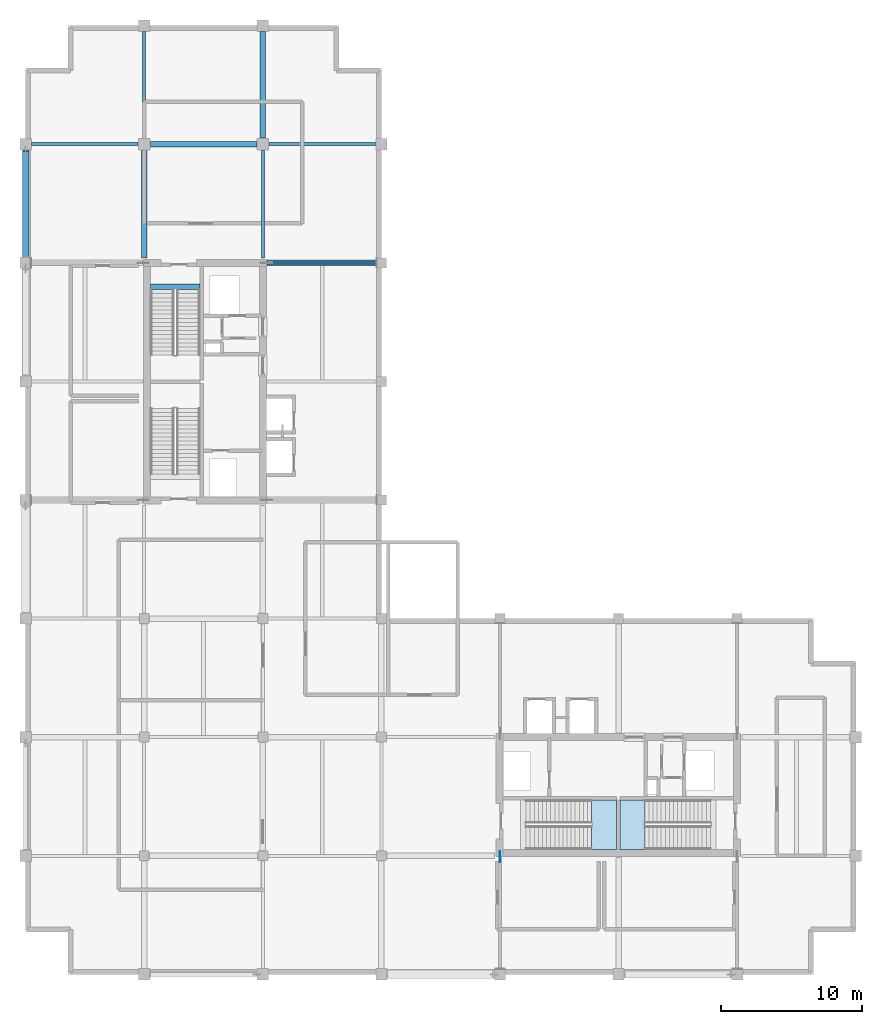
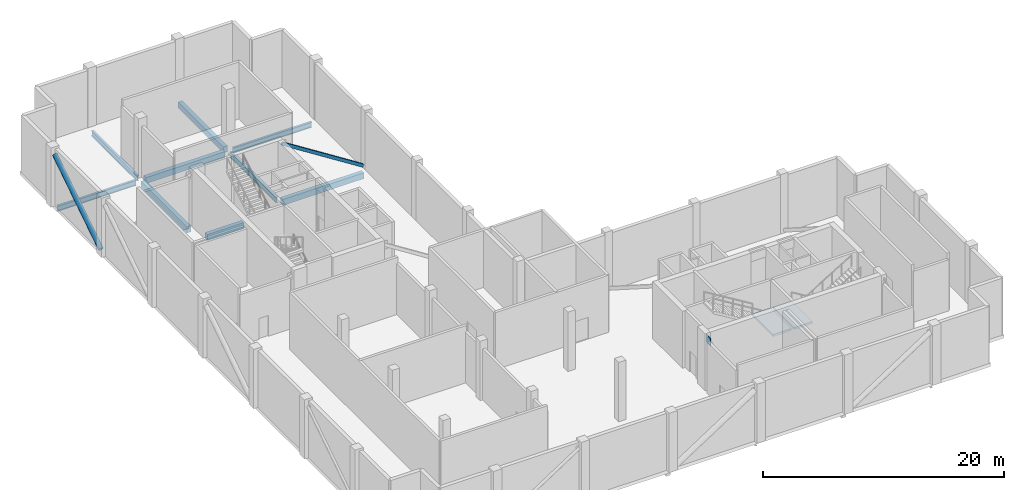
# One storey, part 2 of 14: 9 beams, 2 members, 2 slabs, 1 plate, 2 elements without a shape of their own.
"""IFC4 building model written with IfcOpenShell, lengths in metres."""

from ifc_helpers import new_model, si_unit, direction, frame, origin, origin_2d, place, context, subcontext, project, spatial, polyline, rectangle, hollow_rectangle, hollow_circle, i_section, outline, extrude, material, layer, layer_set, material_profile, profile_set, type_object, element, aggregate, save


model = new_model("IFC4")

# Units and contexts
model_context = context("Model", 3, precision=1e-05, world=origin(), true_north=direction((0.0, 1.0)))
body_context = subcontext(model_context, "Body", "Model", "MODEL_VIEW")
ifc_project = project(units=[si_unit("LENGTHUNIT", "METRE"), si_unit("AREAUNIT", "SQUARE_METRE"), si_unit("VOLUMEUNIT", "CUBIC_METRE"), si_unit("PLANEANGLEUNIT", "RADIAN"), si_unit("MASSUNIT", "GRAM", prefix="KILO")], contexts=[model_context])

# Site, building, storey
site_placement = place(None, origin())
site = spatial("IfcSite", under=ifc_project, at=site_placement, CompositionType="ELEMENT")
building_placement = place(site_placement, origin())
building = spatial("IfcBuilding", under=site, at=building_placement, Name="Koriwani Terraces Tower", CompositionType="ELEMENT")
storey_placement = place(building_placement, frame((0.0, 0.0, 294.800048828125)))
storey = spatial("IfcBuildingStorey", under=building, at=storey_placement, Name="L73", CompositionType="ELEMENT", Elevation=294.800048828125)

# Beams
ifc_material_1 = material(Name="Concrete C40/50", Category="concrete")
ifc_material_profile_1 = material_profile(ifc_material_1, rectangle(XDim=0.39990234375, YDim=0.60009765625, at=origin_2d()), Name="Concrete C40/50", Category="LoadBearing")
ifc_profile_set_1 = profile_set([ifc_material_profile_1], Name="Concrete C40/50")
beam_type_1 = type_object("IfcBeamType", Name="BEAM_RC_GRID_400X600", PredefinedType="BEAM", material=ifc_profile_set_1)
beam_1_placement = place(storey_placement, frame((17.25, 57.094970703125, -0.300048828125), z_axis=(1.0, 0.0, 0.0), x_axis=(0.0, 1.0, 0.0)))
element("IfcBeam", 1, at=beam_1_placement, inside=storey, type_object=beam_type_1, Name="L73 Stairwell Header Trimmer Beam ST-W2", PredefinedType="BEAM", context=body_context, shape_type="SweptSolid", body=[
    extrude(rectangle(XDim=0.39990234375, YDim=0.60009765625, at=origin_2d()), origin(), (0.0, 0.0, 1.0), 3.5),
])
beam_2_placement = place(storey_placement, frame((25.47998046875, 58.800048828125, -0.650146484375), z_axis=(1.0, 0.0, 0.0), x_axis=(0.0, 1.0, 0.0)))
element("IfcBeam", 2, at=beam_2_placement, inside=storey, type_object=beam_type_1, Name="L73 Grid Beam H (25.2-33.6m)", PredefinedType="BEAM", context=body_context, shape_type="SweptSolid", body=[
    extrude(rectangle(XDim=0.39990234375, YDim=0.60009765625, at=origin_2d()), origin(), (0.0, 0.0, 1.0), 7.739990234375),
])
beam_3_placement = place(storey_placement, frame((17.22998046875, 67.199951171875, -0.650146484375), z_axis=(1.0, 0.0, 0.0), x_axis=(0.0, 1.0, 0.0)))
element("IfcBeam", 3, at=beam_3_placement, inside=storey, type_object=beam_type_1, Name="L73 Grid Beam I (16.8-25.2m)", PredefinedType="BEAM", context=body_context, shape_type="SweptSolid", body=[
    extrude(rectangle(XDim=0.39990234375, YDim=0.60009765625, at=origin_2d()), origin(), (0.0, 0.0, 1.0), 7.5400390625),
])
beam_4_placement = place(storey_placement, frame((16.800048828125, 59.1298828125, -0.650146484375), z_axis=(0.0, 1.0, 0.0), x_axis=(-1.0, 0.0, 0.0)))
element("IfcBeam", 4, at=beam_4_placement, inside=storey, type_object=beam_type_1, Name="L73 Grid Beam 3 (58.8-67.2m)", PredefinedType="BEAM", context=body_context, shape_type="SweptSolid", body=[
    extrude(rectangle(XDim=0.39990234375, YDim=0.60009765625, at=origin_2d()), origin(), (0.0, 0.0, 1.0), 7.64013671875),
])
beam_5_placement = place(storey_placement, frame((25.199951171875, 67.6298828125, -0.650146484375), z_axis=(0.0, 1.0, 0.0), x_axis=(-1.0, 0.0, 0.0)))
element("IfcBeam", 5, at=beam_5_placement, inside=storey, type_object=beam_type_1, Name="L73 Grid Beam 4 (67.2-75.6m)", PredefinedType="BEAM", context=body_context, shape_type="SweptSolid", body=[
    extrude(rectangle(XDim=0.39990234375, YDim=0.60009765625, at=origin_2d()), origin(), (0.0, 0.0, 1.0), 7.5400390625),
])

# Members
ifc_material_2 = material(Name="Steel ASTM A572 Grade 50", Category="steel")
ifc_material_profile_2 = material_profile(ifc_material_2, hollow_circle(Radius=0.228515625, WallThickness=0.01611328125, at=origin_2d()), Name="Steel ASTM A572 Grade 50", Category="LoadBearing")
ifc_profile_set_2 = profile_set([ifc_material_profile_2], Name="Steel ASTM A572 Grade 50")
member_type_1 = type_object("IfcMemberType", Name="BELT_TRUSS_DIAG_CHS457X16", PredefinedType="STRUT", material=ifc_profile_set_2)
member_1_placement = place(storey_placement, frame((8.39990234375, 59.179931640625, 0.25), z_axis=(0.0, 0.838248950605, 0.54528771929), x_axis=(-1.0, 0.0, 0.0)))
element("IfcMember", 6, at=member_1_placement, inside=storey, type_object=member_type_1, Name="Belt truss diagonal L73-BW4", PredefinedType="STRUT", context=body_context, shape_type="SweptSolid", body=[
    extrude(hollow_circle(Radius=0.228515625, WallThickness=0.01611328125, at=origin_2d()), origin(), (0.0, 0.0, 1.0), 9.114501953125),
])
ifc_material_profile_3 = material_profile(ifc_material_2, hollow_rectangle(XDim=0.14990234375, YDim=0.300048828125, WallThickness=0.010009765625, at=origin_2d()), Name="Steel ASTM A572 Grade 50", Category="LoadBearing")
ifc_profile_set_3 = profile_set([ifc_material_profile_3], Name="Steel ASTM A572 Grade 50")
member_type_2 = type_object("IfcMemberType", Name="OUTRIGGER_BRACE_HSS300X150X10", PredefinedType="BRACE", material=ifc_profile_set_3)
member_2_placement = place(storey_placement, frame((33.27001953125, 58.800048828125, 0.25), z_axis=(-0.843352660519, 0.0, 0.537360484215), x_axis=(0.0, -1.0, 0.0)))
element("IfcMember", 7, at=member_2_placement, inside=storey, type_object=member_type_2, Name="Outrigger truss diagonal L73-OW-E2", PredefinedType="BRACE", context=body_context, shape_type="SweptSolid", body=[
    extrude(hollow_rectangle(XDim=0.14990234375, YDim=0.300048828125, WallThickness=0.010009765625, at=origin_2d()), origin(), (0.0, 0.0, 1.0), 9.248779296875),
])

# Beams
ifc_material_profile_4 = material_profile(ifc_material_2, i_section(OverallWidth=0.2109375, OverallDepth=0.5390625, WebThickness=0.01171875, FlangeThickness=0.018798828125, at=origin_2d()), Name="Steel ASTM A572 Grade 50", Category="LoadBearing")
ifc_profile_set_4 = profile_set([ifc_material_profile_4], Name="Steel ASTM A572 Grade 50")
beam_type_2 = type_object("IfcBeamType", Name="STEEL_BEAM_W530X109", PredefinedType="BEAM", material=ifc_profile_set_4)
for number, where, z_axis, x_axis, name in (
    (8, (8.830078125, 67.199951171875, -0.61962890625), (1.0, 0.0, 0.0), (0.0, 1.0, 0.0), "L73 Grid Beam I (8.4-16.8m)"),
    (9, (25.6298828125, 67.199951171875, -0.61962890625), (1.0, 0.0, 0.0), (0.0, 1.0, 0.0), "L73 Grid Beam I (25.2-33.6m)"),
    (10, (16.800048828125, 67.6298828125, -0.61962890625), (0.0, 1.0, 0.0), (-1.0, 0.0, 0.0), "L73 Grid Beam 3 (67.2-75.6m)"),
):
    element("IfcBeam", number, at=place(storey_placement, frame(where, z_axis=z_axis, x_axis=x_axis)), inside=storey, type_object=beam_type_2, Name=name, PredefinedType="BEAM", context=body_context, shape_type="SweptSolid", body=[
        extrude(i_section(OverallWidth=0.2109375, OverallDepth=0.5390625, WebThickness=0.01171875, FlangeThickness=0.018798828125, at=origin_2d()), origin(), (0.0, 0.0, 1.0), 7.5400390625),
    ])
beam_6_placement = place(storey_placement, frame((25.199951171875, 59.1298828125, -0.61962890625), z_axis=(0.0, 1.0, 0.0), x_axis=(-1.0, 0.0, 0.0)))
element("IfcBeam", 11, at=beam_6_placement, inside=storey, type_object=beam_type_2, Name="L73 Grid Beam 4 (58.8-67.2m)", PredefinedType="BEAM", context=body_context, shape_type="SweptSolid", body=[
    extrude(i_section(OverallWidth=0.2109375, OverallDepth=0.5390625, WebThickness=0.01171875, FlangeThickness=0.018798828125, at=origin_2d()), origin(), (0.0, 0.0, 1.0), 7.64013671875),
])

# Stair, slab
stair_type = type_object("IfcStairType", Name="STAIR_CORE_DOGLEG_1650", PredefinedType="TWO_STRAIGHT_RUN_STAIR", material=ifc_material_1)
stair_1_placement = place(storey_placement, origin())
stair_1 = element("IfcStair", 12, at=stair_1_placement, inside=storey, type_object=stair_type, Name="L73 East Core Exit Stair 1", PredefinedType="HALF_TURN_STAIR")
ifc_layer_1 = layer(ifc_material_1, 0.199951171875, Name="Concrete C40/50")
ifc_layer_set_1 = layer_set([ifc_layer_1], Name="Concrete C40/50")
slab_type = type_object("IfcSlabType", Name="SLAB_STAIR_LANDING_200", PredefinedType="LANDING", material=ifc_layer_set_1)
slab_1_placement = place(storey_placement, frame((0.0, 0.0, 2.800048828125)))
slab_1 = element("IfcSlab", 13, at=slab_1_placement, type_object=slab_type, Name="ST-E1 landing 1", PredefinedType="LANDING", context=body_context, shape_type="SweptSolid", body=[
    extrude(outline(polyline([(48.489990234375, 17.25), (50.25, 17.25), (50.25, 20.75), (48.489990234375, 20.75), (48.489990234375, 17.25)])), origin(), (0.0, 0.0, 1.0), 0.199951171875),
])
aggregate(stair_1, [slab_1])

stair_2_placement = place(storey_placement, origin())
stair_2 = element("IfcStair", 14, at=stair_2_placement, inside=storey, type_object=stair_type, Name="L73 East Core Exit Stair 2", PredefinedType="HALF_TURN_STAIR")
slab_2_placement = place(storey_placement, frame((0.0, 0.0, 2.800048828125)))
slab_2 = element("IfcSlab", 15, at=slab_2_placement, type_object=slab_type, Name="ST-E2 landing 1", PredefinedType="LANDING", context=body_context, shape_type="SweptSolid", body=[
    extrude(outline(polyline([(52.260009765625, 20.75), (50.5, 20.75), (50.5, 17.25), (52.260009765625, 17.25), (52.260009765625, 20.75)])), origin(), (0.0, 0.0, 1.0), 0.199951171875),
])
aggregate(stair_2, [slab_2])

# Plate
ifc_layer_2 = layer(ifc_material_2, 0.0400390625, Name="Steel ASTM A572 Grade 50")
ifc_layer_set_2 = layer_set([ifc_layer_2], Name="Steel ASTM A572 Grade 50")
plate_type = type_object("IfcPlateType", Name="STEEL_GUSSET_PLATE_40", PredefinedType="USERDEFINED", material=ifc_layer_set_2)
plate_placement = place(storey_placement, frame((42.0, 16.72998046875, 4.669921875), z_axis=(0.0, 0.0, 1.0), x_axis=(0.0, 1.0, 0.0)))
element("IfcPlate", 16, at=plate_placement, inside=storey, type_object=plate_type, Name="Outrigger truss node gusset plate L73-OE-S1", ObjectType="GUSSET_PLATE", PredefinedType="USERDEFINED", context=body_context, shape_type="SweptSolid", body=[
    extrude(rectangle(XDim=0.800048828125, YDim=0.0400390625, at=origin_2d()), origin(), (0.0, 0.0, 1.0), 0.800048828125),
])

save(model, "model.ifc")
